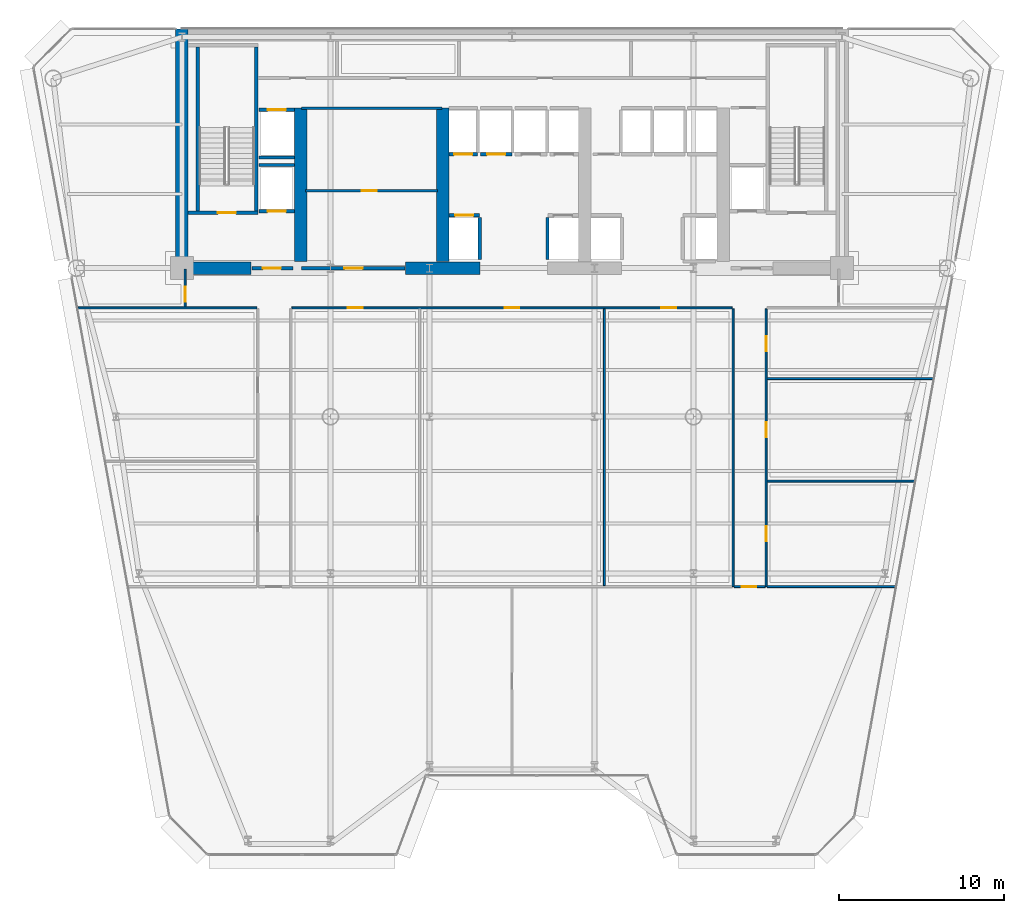
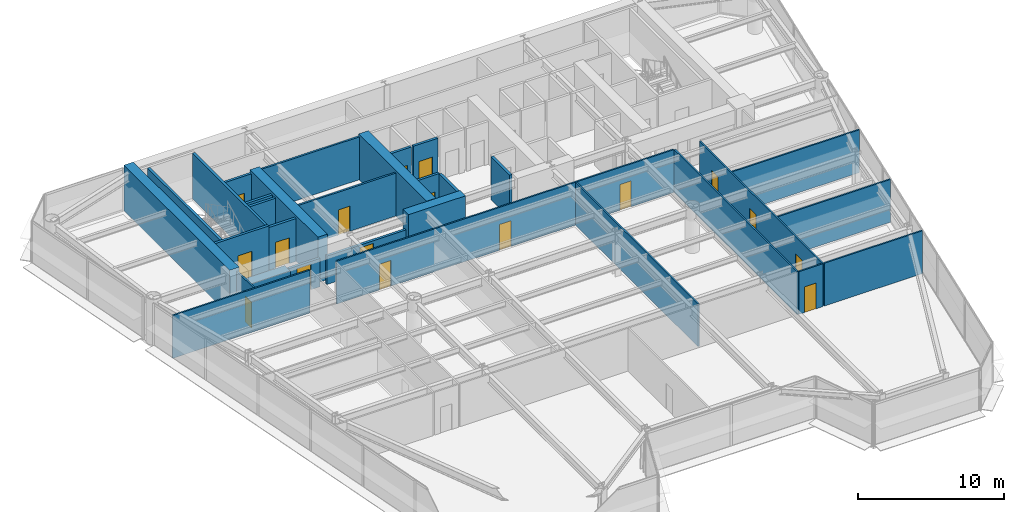
# One storey, part 8 of 14: 31 walls, 17 doors, 17 openings.
"""IFC4 building model written with IfcOpenShell, lengths in metres."""

from ifc_helpers import new_model, si_unit, direction, frame, frame_2d, origin, place, context, subcontext, project, spatial, rectangle, extrude, source, transform, mapped, material, layer, layer_set, type_object, element, fill, save


model = new_model("IFC4")

# Units and contexts
model_context = context("Model", 3, precision=1e-05, world=origin(), true_north=direction((0.0, 1.0)))
body_context = subcontext(model_context, "Body", "Model", "MODEL_VIEW")
ifc_project = project(units=[si_unit("LENGTHUNIT", "METRE"), si_unit("AREAUNIT", "SQUARE_METRE"), si_unit("VOLUMEUNIT", "CUBIC_METRE"), si_unit("PLANEANGLEUNIT", "RADIAN"), si_unit("MASSUNIT", "GRAM", prefix="KILO")], contexts=[model_context])

# Site, building, storey
site_placement = place(None, origin())
site = spatial("IfcSite", under=ifc_project, at=site_placement, CompositionType="ELEMENT")
building_placement = place(site_placement, origin())
building = spatial("IfcBuilding", under=site, at=building_placement, Name="Vaeldorn Concourse Tower", CompositionType="ELEMENT")
storey_placement = place(building_placement, frame((0.0, 0.0, 130.0)))
storey = spatial("IfcBuildingStorey", under=building, at=storey_placement, Name="L33", CompositionType="ELEMENT", Elevation=130.0)

# Walls
ifc_material_1 = material(Name="Concrete C60/75", Category="concrete")
ifc_layer_1 = layer(ifc_material_1, 0.75)
ifc_layer_set_1 = layer_set([ifc_layer_1], Name="Concrete C60/75")
wall_type_1 = type_object("IfcWallType", Name="WL-CORE-750", PredefinedType="SHEAR", material=ifc_layer_set_1)
wall_1_placement = place(storey_placement, frame((14.0, 36.5, 0.0), z_axis=(0.0, 0.0, 1.0), x_axis=(0.0, 1.0, 0.0)))
element("IfcWall", 1, at=wall_1_placement, inside=storey, type_object=wall_type_1, Name="Rear Core Shear Wall L33 W1", PredefinedType="SHEAR", context=body_context, shape_type="SweptSolid", body=[
    extrude(rectangle(XDim=14.5, YDim=0.75, at=frame_2d((7.25, 0.0))), origin(), (0.0, 0.0, 1.0), 3.800048828125),
])
wall_2_placement = place(storey_placement, frame((14.39501953125, 36.5, 0.0), z_axis=(0.0, 0.0, 1.0), x_axis=(1.0, 0.0, 0.0)))
element("IfcWall", 2, at=wall_2_placement, inside=storey, type_object=wall_type_1, Name="Rear Core Shear Wall L33 S1", PredefinedType="SHEAR", context=body_context, shape_type="SweptSolid", body=[
    extrude(rectangle(XDim=3.804931640625, YDim=0.75, at=frame_2d((1.90234375, 0.0))), origin(), (0.0, 0.0, 1.0), 2.3798828125),
])
wall_3_placement = place(storey_placement, frame((27.550048828125, 36.5, 0.0), z_axis=(0.0, 0.0, 1.0), x_axis=(1.0, 0.0, 0.0)))
element("IfcWall", 3, at=wall_3_placement, inside=storey, type_object=wall_type_1, Name="Rear Core Shear Wall L33 S2", PredefinedType="SHEAR", context=body_context, shape_type="SweptSolid", body=[
    extrude(rectangle(XDim=4.5, YDim=0.75, at=frame_2d((2.25, 0.0))), origin(), (0.0, 0.0, 1.0), 3.800048828125),
])
for number, where, z_axis, x_axis, name in (
    (4, (21.199951171875, 36.89501953125, 0.0), (0.0, 0.0, 1.0), (0.0, 1.0, 0.0), "Rear Core Shear Wall L33 M1"),
    (5, (29.800048828125, 36.89501953125, 0.0), (0.0, 0.0, 1.0), (0.0, 1.0, 0.0), "Rear Core Shear Wall L33 M2"),
):
    element("IfcWall", number, at=place(storey_placement, frame(where, z_axis=z_axis, x_axis=x_axis)), inside=storey, type_object=wall_type_1, Name=name, PredefinedType="SHEAR", context=body_context, shape_type="SweptSolid", body=[
        extrude(rectangle(XDim=9.304931640625, YDim=0.75, at=frame_2d((4.65234375, 0.0))), origin(), (0.0, 0.0, 1.0), 3.800048828125),
    ])

# Wall, openings, doors
ifc_material_2 = material(Name="Gypsum Board Partition", Category="gypsum")
ifc_layer_2 = layer(ifc_material_2, 0.1201171875)
ifc_layer_set_2 = layer_set([ifc_layer_2], Name="Gypsum Board Partition")
wall_type_2 = type_object("IfcWallType", Name="WL-PART-120", PredefinedType="PARTITIONING", material=ifc_layer_set_2)
wall_4_placement = place(storey_placement, frame((20.659912109375, 34.10009765625, 0.0), z_axis=(0.0, 0.0, 1.0), x_axis=(1.0, 0.0, 0.0)))
wall_4 = element("IfcWall", 6, at=wall_4_placement, inside=storey, type_object=wall_type_2, Name="Interior Wall PW-L33-CEWS", PredefinedType="PARTITIONING", context=body_context, shape_type="SweptSolid", body=[
    extrude(rectangle(XDim=26.68017578125, YDim=0.1201171875, at=frame_2d((13.340087890625, 0.0))), origin(), (0.0, 0.0, 1.0), 3.580078125),
])
opening_1_placement = place(wall_4_placement, frame((3.389892578125, 0.0, 0.0)))
opening_1 = element("IfcOpeningElement", 7, at=opening_1_placement, cuts=wall_4, Name="Opening D-03", PredefinedType="OPENING", context=body_context, shape_type="SweptSolid", body=[
    extrude(rectangle(XDim=0.89990234375, YDim=2.14990234375, at=frame_2d((0.449951171875, 1.074951171875))), frame((0.0, 0.070068359375, 0.0), z_axis=(0.0, -1.0, 0.0), x_axis=(1.0, 0.0, 0.0)), (0.0, 0.0, 1.0), 0.14013671875),
])
opening_2_placement = place(wall_4_placement, frame((12.889892578125, 0.0, 0.0)))
opening_2 = element("IfcOpeningElement", 8, at=opening_2_placement, cuts=wall_4, Name="Opening D-03", PredefinedType="OPENING", context=body_context, shape_type="SweptSolid", body=[
    extrude(rectangle(XDim=0.89990234375, YDim=2.14990234375, at=frame_2d((0.449951171875, 1.074951171875))), frame((0.0, 0.070068359375, 0.0), z_axis=(0.0, -1.0, 0.0), x_axis=(1.0, 0.0, 0.0)), (0.0, 0.0, 1.0), 0.14013671875),
])
opening_3_placement = place(wall_4_placement, frame((22.389892578125, 0.0, 0.0)))
opening_3 = element("IfcOpeningElement", 9, at=opening_3_placement, cuts=wall_4, Name="Opening D-03", PredefinedType="OPENING", context=body_context, shape_type="SweptSolid", body=[
    extrude(rectangle(XDim=0.89990234375, YDim=2.14990234375, at=frame_2d((0.449951171875, 1.074951171875))), frame((0.0, 0.070068359375, 0.0), z_axis=(0.0, -1.0, 0.0), x_axis=(1.0, 0.0, 0.0)), (0.0, 0.0, 1.0), 0.14013671875),
])
ifc_material_3 = material(Name="Acoustic Bronze-Framed Glass Door", Category="glass")
door_type_1 = type_object("IfcDoorType", Name="DR-INT-900", OperationType="NOTDEFINED", PredefinedType="DOOR", material=ifc_material_3)
shared_shape_1 = source(origin(), body_context, "Body", "SweptSolid", [
    extrude(rectangle(XDim=0.89990234375, YDim=2.14990234375, at=frame_2d((0.449951171875, 1.074951171875))), frame((0.0, 0.02490234375, 0.0), z_axis=(0.0, -1.0, 0.0), x_axis=(1.0, 0.0, 0.0)), (0.0, 0.0, 1.0), 0.050048828125),
])
door_1_placement = place(opening_1_placement, origin())
door_1 = element("IfcDoor", 10, at=door_1_placement, inside=storey, type_object=door_type_1, Name="Interior Door DR-L33-H1", OperationType="SINGLE_SWING_LEFT", OverallHeight=2.14990234375, OverallWidth=0.89990234375, PredefinedType="DOOR", context=body_context, shape_type="MappedRepresentation", body=[
    mapped(shared_shape_1, transform((0.0, 0.0, 0.0), scale=1.0)),
])
fill(opening_1, door_1)
door_2_placement = place(opening_2_placement, origin())
door_2 = element("IfcDoor", 11, at=door_2_placement, inside=storey, type_object=door_type_1, Name="Interior Door DR-L33-H2", OperationType="SINGLE_SWING_RIGHT", OverallHeight=2.14990234375, OverallWidth=0.89990234375, PredefinedType="DOOR", context=body_context, shape_type="MappedRepresentation", body=[
    mapped(shared_shape_1, transform((0.0, 0.0, 0.0), scale=1.0)),
])
fill(opening_2, door_2)
door_3_placement = place(opening_3_placement, origin())
door_3 = element("IfcDoor", 12, at=door_3_placement, inside=storey, type_object=door_type_1, Name="Interior Door DR-L33-H3", OperationType="SINGLE_SWING_LEFT", OverallHeight=2.14990234375, OverallWidth=0.89990234375, PredefinedType="DOOR", context=body_context, shape_type="MappedRepresentation", body=[
    mapped(shared_shape_1, transform((0.0, 0.0, 0.0), scale=1.0)),
])
fill(opening_3, door_3)

# Wall
wall_5_placement = place(storey_placement, frame((7.69287109375, 34.10009765625, 0.0), z_axis=(0.0, 0.0, 1.0), x_axis=(1.0, 0.0, 0.0)))
element("IfcWall", 13, at=wall_5_placement, inside=storey, type_object=wall_type_2, Name="Interior Wall PW-L33-CEWW", PredefinedType="PARTITIONING", context=body_context, shape_type="SweptSolid", body=[
    extrude(rectangle(XDim=10.84716796875, YDim=0.1201171875, at=frame_2d((5.423583984375, 0.0))), origin(), (0.0, 0.0, 1.0), 3.580078125),
])

# Wall, opening, door
wall_6_placement = place(storey_placement, frame((14.199951171875, 34.159912109375, 0.0), z_axis=(0.0, 0.0, 1.0), x_axis=(0.0, 1.0, 0.0)))
wall_6 = element("IfcWall", 14, at=wall_6_placement, inside=storey, type_object=wall_type_2, Name="Interior Wall PW-L33-CWWT", PredefinedType="PARTITIONING", context=body_context, shape_type="SweptSolid", body=[
    extrude(rectangle(XDim=2.280029296875, YDim=0.1201171875, at=frame_2d((1.14013671875, 0.0))), origin(), (0.0, 0.0, 1.0), 3.580078125),
])
opening_4_placement = place(wall_6_placement, frame((0.300048828125, 0.0, 0.0)))
opening_4 = element("IfcOpeningElement", 15, at=opening_4_placement, cuts=wall_6, Name="Opening D-03", PredefinedType="OPENING", context=body_context, shape_type="SweptSolid", body=[
    extrude(rectangle(XDim=0.89990234375, YDim=2.14990234375, at=frame_2d((0.449951171875, 1.074951171875))), frame((0.0, 0.070068359375, 0.0), z_axis=(0.0, -1.0, 0.0), x_axis=(1.0, 0.0, 0.0)), (0.0, 0.0, 1.0), 0.14013671875),
])
door_4_placement = place(opening_4_placement, origin())
door_4 = element("IfcDoor", 16, at=door_4_placement, inside=storey, type_object=door_type_1, Name="Interior Door DR-L33-NW1", OperationType="SINGLE_SWING_LEFT", OverallHeight=2.14990234375, OverallWidth=0.89990234375, PredefinedType="DOOR", context=body_context, shape_type="MappedRepresentation", body=[
    mapped(shared_shape_1, transform((0.0, 0.0, 0.0), scale=1.0)),
])
fill(opening_4, door_4)

# Wall
wall_7_placement = place(storey_placement, frame((47.39990234375, 17.199951171875, 0.0), z_axis=(0.0, 0.0, 1.0), x_axis=(0.0, 1.0, 0.0)))
element("IfcWall", 17, at=wall_7_placement, inside=storey, type_object=wall_type_2, Name="Interior Wall PW-L33-CEW", PredefinedType="PARTITIONING", context=body_context, shape_type="SweptSolid", body=[
    extrude(rectangle(XDim=16.840087890625, YDim=0.1201171875, at=frame_2d((8.419921875, 0.0))), origin(), (0.0, 0.0, 1.0), 3.580078125),
])

# Wall, openings, doors
wall_8_placement = place(storey_placement, frame((49.39990234375, 17.199951171875, 0.0), z_axis=(0.0, 0.0, 1.0), x_axis=(0.0, 1.0, 0.0)))
wall_8 = element("IfcWall", 18, at=wall_8_placement, inside=storey, type_object=wall_type_2, Name="Interior Wall PW-L33-CEE", PredefinedType="PARTITIONING", context=body_context, shape_type="SweptSolid", body=[
    extrude(rectangle(XDim=16.840087890625, YDim=0.1201171875, at=frame_2d((8.419921875, 0.0))), origin(), (0.0, 0.0, 1.0), 3.580078125),
])
opening_5_placement = place(wall_8_placement, frame((2.75, 0.0, 0.0)))
opening_5 = element("IfcOpeningElement", 19, at=opening_5_placement, cuts=wall_8, Name="Opening D-03", PredefinedType="OPENING", context=body_context, shape_type="SweptSolid", body=[
    extrude(rectangle(XDim=0.89990234375, YDim=2.14990234375, at=frame_2d((0.449951171875, 1.074951171875))), frame((0.0, 0.070068359375, 0.0), z_axis=(0.0, -1.0, 0.0), x_axis=(1.0, 0.0, 0.0)), (0.0, 0.0, 1.0), 0.14013671875),
])
opening_6_placement = place(wall_8_placement, frame((9.050048828125, 0.0, 0.0)))
opening_6 = element("IfcOpeningElement", 20, at=opening_6_placement, cuts=wall_8, Name="Opening D-03", PredefinedType="OPENING", context=body_context, shape_type="SweptSolid", body=[
    extrude(rectangle(XDim=0.89990234375, YDim=2.14990234375, at=frame_2d((0.449951171875, 1.074951171875))), frame((0.0, 0.070068359375, 0.0), z_axis=(0.0, -1.0, 0.0), x_axis=(1.0, 0.0, 0.0)), (0.0, 0.0, 1.0), 0.14013671875),
])
opening_7_placement = place(wall_8_placement, frame((14.27001953125, 0.0, 0.0)))
opening_7 = element("IfcOpeningElement", 21, at=opening_7_placement, cuts=wall_8, Name="Opening D-03", PredefinedType="OPENING", context=body_context, shape_type="SweptSolid", body=[
    extrude(rectangle(XDim=0.89990234375, YDim=2.14990234375, at=frame_2d((0.449951171875, 1.074951171875))), frame((0.0, 0.070068359375, 0.0), z_axis=(0.0, -1.0, 0.0), x_axis=(1.0, 0.0, 0.0)), (0.0, 0.0, 1.0), 0.14013671875),
])
door_5_placement = place(opening_5_placement, origin())
door_5 = element("IfcDoor", 22, at=door_5_placement, inside=storey, type_object=door_type_1, Name="Interior Door DR-L33-E1", OperationType="SINGLE_SWING_RIGHT", OverallHeight=2.14990234375, OverallWidth=0.89990234375, PredefinedType="DOOR", context=body_context, shape_type="MappedRepresentation", body=[
    mapped(shared_shape_1, transform((0.0, 0.0, 0.0), scale=1.0)),
])
fill(opening_5, door_5)
door_6_placement = place(opening_6_placement, origin())
door_6 = element("IfcDoor", 23, at=door_6_placement, inside=storey, type_object=door_type_1, Name="Interior Door DR-L33-E2", OperationType="SINGLE_SWING_LEFT", OverallHeight=2.14990234375, OverallWidth=0.89990234375, PredefinedType="DOOR", context=body_context, shape_type="MappedRepresentation", body=[
    mapped(shared_shape_1, transform((0.0, 0.0, 0.0), scale=1.0)),
])
fill(opening_6, door_6)
door_7_placement = place(opening_7_placement, origin())
door_7 = element("IfcDoor", 24, at=door_7_placement, inside=storey, type_object=door_type_1, Name="Interior Door DR-L33-E3", OperationType="SINGLE_SWING_RIGHT", OverallHeight=2.14990234375, OverallWidth=0.89990234375, PredefinedType="DOOR", context=body_context, shape_type="MappedRepresentation", body=[
    mapped(shared_shape_1, transform((0.0, 0.0, 0.0), scale=1.0)),
])
fill(opening_7, door_7)

# Wall, opening, door
wall_9_placement = place(storey_placement, frame((47.4599609375, 17.199951171875, 0.0), z_axis=(0.0, 0.0, 1.0), x_axis=(1.0, 0.0, 0.0)))
wall_9 = element("IfcWall", 25, at=wall_9_placement, inside=storey, type_object=wall_type_2, Name="Interior Wall PW-L33-CES", PredefinedType="PARTITIONING", context=body_context, shape_type="SweptSolid", body=[
    extrude(rectangle(XDim=1.880126953125, YDim=0.1201171875, at=frame_2d((0.93994140625, 0.0))), origin(), (0.0, 0.0, 1.0), 3.580078125),
])
opening_8_placement = place(wall_9_placement, frame((0.449951171875, 0.0, 0.0)))
opening_8 = element("IfcOpeningElement", 26, at=opening_8_placement, cuts=wall_9, Name="Opening D-03", PredefinedType="OPENING", context=body_context, shape_type="SweptSolid", body=[
    extrude(rectangle(XDim=0.89990234375, YDim=2.14990234375, at=frame_2d((0.449951171875, 1.074951171875))), frame((0.0, 0.070068359375, 0.0), z_axis=(0.0, -1.0, 0.0), x_axis=(1.0, 0.0, 0.0)), (0.0, 0.0, 1.0), 0.14013671875),
])
door_8_placement = place(opening_8_placement, origin())
door_8 = element("IfcDoor", 27, at=door_8_placement, inside=storey, type_object=door_type_1, Name="Interior Door DR-L33-SEL", OperationType="SINGLE_SWING_RIGHT", OverallHeight=2.14990234375, OverallWidth=0.89990234375, PredefinedType="DOOR", context=body_context, shape_type="MappedRepresentation", body=[
    mapped(shared_shape_1, transform((0.0, 0.0, 0.0), scale=1.0)),
])
fill(opening_8, door_8)

# Walls
wall_10_placement = place(storey_placement, frame((49.4599609375, 17.199951171875, 0.0), z_axis=(0.0, 0.0, 1.0), x_axis=(1.0, 0.0, 0.0)))
element("IfcWall", 28, at=wall_10_placement, inside=storey, type_object=wall_type_2, Name="Interior Wall PW-L33-EY0", PredefinedType="PARTITIONING", context=body_context, shape_type="SweptSolid", body=[
    extrude(rectangle(XDim=7.7763671875, YDim=0.1201171875, at=frame_2d((3.88818359375, 0.0))), origin(), (0.0, 0.0, 1.0), 3.580078125),
])
wall_11_placement = place(storey_placement, frame((49.4599609375, 23.60009765625, 0.0), z_axis=(0.0, 0.0, 1.0), x_axis=(1.0, 0.0, 0.0)))
element("IfcWall", 29, at=wall_11_placement, inside=storey, type_object=wall_type_2, Name="Interior Wall PW-L33-EY1", PredefinedType="PARTITIONING", context=body_context, shape_type="SweptSolid", body=[
    extrude(rectangle(XDim=8.939453125, YDim=0.1201171875, at=frame_2d((4.4697265625, 0.0))), origin(), (0.0, 0.0, 1.0), 3.580078125),
])
wall_12_placement = place(storey_placement, frame((49.4599609375, 29.800048828125, 0.0), z_axis=(0.0, 0.0, 1.0), x_axis=(1.0, 0.0, 0.0)))
element("IfcWall", 30, at=wall_12_placement, inside=storey, type_object=wall_type_2, Name="Interior Wall PW-L33-EY2", PredefinedType="PARTITIONING", context=body_context, shape_type="SweptSolid", body=[
    extrude(rectangle(XDim=10.06591796875, YDim=0.1201171875, at=frame_2d((5.032958984375, 0.0))), origin(), (0.0, 0.0, 1.0), 3.580078125),
])
wall_13_placement = place(storey_placement, frame((39.60009765625, 17.260009765625, 0.0), z_axis=(0.0, 0.0, 1.0), x_axis=(0.0, 1.0, 0.0)))
element("IfcWall", 31, at=wall_13_placement, inside=storey, type_object=wall_type_2, Name="Interior Wall PW-L33-HX2", PredefinedType="PARTITIONING", context=body_context, shape_type="SweptSolid", body=[
    extrude(rectangle(XDim=16.780029296875, YDim=0.1201171875, at=frame_2d((8.39013671875, 0.0))), origin(), (0.0, 0.0, 1.0), 3.580078125),
])
ifc_layer_3 = layer(ifc_material_2, 0.14990234375)
ifc_layer_set_3 = layer_set([ifc_layer_3], Name="Gypsum Board Partition")
wall_type_3 = type_object("IfcWallType", Name="WL-PART-150", PredefinedType="PARTITIONING", material=ifc_layer_set_3)
wall_14_placement = place(storey_placement, frame((21.25, 46.199951171875, 0.0), z_axis=(0.0, 0.0, 1.0), x_axis=(1.0, 0.0, 0.0)))
element("IfcWall", 32, at=wall_14_placement, inside=storey, type_object=wall_type_3, Name="Interior Wall CW-L33-R1N", PredefinedType="PARTITIONING", context=body_context, shape_type="SweptSolid", body=[
    extrude(rectangle(XDim=8.5, YDim=0.14990234375, at=frame_2d((4.25, 0.0))), origin(), (0.0, 0.0, 1.0), 3.580078125),
])

# Wall, opening, door
wall_15_placement = place(storey_placement, frame((21.5, 41.199951171875, 0.0), z_axis=(0.0, 0.0, 1.0), x_axis=(1.0, 0.0, 0.0)))
wall_15 = element("IfcWall", 33, at=wall_15_placement, inside=storey, type_object=wall_type_3, Name="Interior Wall CW-L33-R1M", PredefinedType="PARTITIONING", context=body_context, shape_type="SweptSolid", body=[
    extrude(rectangle(XDim=8.0, YDim=0.14990234375, at=frame_2d((4.0, 0.0))), origin(), (0.0, 0.0, 1.0), 3.580078125),
])
opening_9_placement = place(wall_15_placement, frame((3.39990234375, 0.0, 0.0)))
opening_9 = element("IfcOpeningElement", 34, at=opening_9_placement, cuts=wall_15, Name="Opening D-02", PredefinedType="OPENING", context=body_context, shape_type="SweptSolid", body=[
    extrude(rectangle(XDim=0.89990234375, YDim=2.10009765625, at=frame_2d((0.449951171875, 1.050048828125))), frame((0.0, 0.0849609375, 0.0), z_axis=(0.0, -1.0, 0.0), x_axis=(1.0, 0.0, 0.0)), (0.0, 0.0, 1.0), 0.169921875),
])
ifc_material_4 = material(Name="Fire-Rated Timber Leaf", Category="wood")
door_type_2 = type_object("IfcDoorType", Name="DR-FD30-900", OperationType="NOTDEFINED", PredefinedType="DOOR", material=ifc_material_4)
shared_shape_2 = source(origin(), body_context, "Body", "SweptSolid", [
    extrude(rectangle(XDim=0.89990234375, YDim=2.10009765625, at=frame_2d((0.449951171875, 1.050048828125))), frame((0.0, 0.02490234375, 0.0), z_axis=(0.0, -1.0, 0.0), x_axis=(1.0, 0.0, 0.0)), (0.0, 0.0, 1.0), 0.050048828125),
])
door_9_placement = place(opening_9_placement, origin())
door_9 = element("IfcDoor", 35, at=door_9_placement, inside=storey, type_object=door_type_2, Name="Interior Door DR-L33-R1M", OperationType="SINGLE_SWING_RIGHT", OverallHeight=2.10009765625, OverallWidth=0.89990234375, PredefinedType="DOOR", context=body_context, shape_type="MappedRepresentation", body=[
    mapped(shared_shape_2, transform((0.0, 0.0, 0.0), scale=1.0)),
])
fill(opening_9, door_9)

ifc_material_5 = material(Name="Concrete C50/60", Category="concrete")
ifc_layer_4 = layer(ifc_material_5, 0.199951171875)
ifc_layer_set_4 = layer_set([ifc_layer_4], Name="Concrete C50/60")
wall_type_4 = type_object("IfcWallType", Name="WL-SHAFT-200", PredefinedType="SOLIDWALL", material=ifc_layer_set_4)
wall_16_placement = place(storey_placement, frame((14.375, 39.85009765625, 0.0), z_axis=(0.0, 0.0, 1.0), x_axis=(1.0, 0.0, 0.0)))
wall_16 = element("IfcWall", 36, at=wall_16_placement, inside=storey, type_object=wall_type_4, Name="Stair Shaft Wall CW-L33-ST-1-S", PredefinedType="SOLIDWALL", context=body_context, shape_type="SweptSolid", body=[
    extrude(rectangle(XDim=4.22509765625, YDim=0.199951171875, at=frame_2d((2.112548828125, 0.0))), origin(), (0.0, 0.0, 1.0), 3.800048828125),
])
opening_10_placement = place(wall_16_placement, frame((1.800048828125, 0.0, 0.0)))
opening_10 = element("IfcOpeningElement", 37, at=opening_10_placement, cuts=wall_16, Name="Opening D-01", PredefinedType="OPENING", context=body_context, shape_type="SweptSolid", body=[
    extrude(rectangle(XDim=1.10009765625, YDim=2.14990234375, at=frame_2d((0.550048828125, 1.074951171875))), frame((0.0, 0.10986328125, 0.0), z_axis=(0.0, -1.0, 0.0), x_axis=(1.0, 0.0, 0.0)), (0.0, 0.0, 1.0), 0.219970703125),
])
ifc_material_6 = material(Name="Fire-Rated Timber and Steel Leaf", Category="steel")
door_type_3 = type_object("IfcDoorType", Name="DR-FD60-1100", OperationType="NOTDEFINED", PredefinedType="DOOR", material=ifc_material_6)
shared_shape_3 = source(origin(), body_context, "Body", "SweptSolid", [
    extrude(rectangle(XDim=1.10009765625, YDim=2.14990234375, at=frame_2d((0.550048828125, 1.074951171875))), frame((0.0, 0.02490234375, 0.0), z_axis=(0.0, -1.0, 0.0), x_axis=(1.0, 0.0, 0.0)), (0.0, 0.0, 1.0), 0.050048828125),
])
door_10_placement = place(opening_10_placement, origin())
door_10 = element("IfcDoor", 38, at=door_10_placement, inside=storey, type_object=door_type_3, Name="Interior Door DR-L33-ST-1", OperationType="SINGLE_SWING_LEFT", OverallHeight=2.14990234375, OverallWidth=1.10009765625, PredefinedType="DOOR", context=body_context, shape_type="MappedRepresentation", body=[
    mapped(shared_shape_3, transform((0.0, 0.0, 0.0), scale=1.0)),
])
fill(opening_10, door_10)

# Walls
for number, where, z_axis, x_axis, name in (
    (39, (14.949951171875, 39.9599609375, 0.0), (0.0, 0.0, 1.0), (0.0, 1.0, 0.0), "Stair Shaft Wall CW-L33-ST-1-W"),
    (40, (18.5, 39.9599609375, 0.0), (0.0, 0.0, 1.0), (0.0, 1.0, 0.0), "Stair Shaft Wall CW-L33-ST-1-E"),
):
    element("IfcWall", number, at=place(storey_placement, frame(where, z_axis=z_axis, x_axis=x_axis)), inside=storey, type_object=wall_type_4, Name=name, PredefinedType="SOLIDWALL", context=body_context, shape_type="SweptSolid", body=[
        extrude(rectangle(XDim=9.929931640625, YDim=0.199951171875, at=frame_2d((4.96484375, 0.0))), origin(), (0.0, 0.0, 1.0), 3.800048828125),
    ])

# Wall, opening, door
wall_17_placement = place(storey_placement, frame((18.25, 36.5, 0.0), z_axis=(0.0, 0.0, 1.0), x_axis=(1.0, 0.0, 0.0)))
wall_17 = element("IfcWall", 41, at=wall_17_placement, inside=storey, type_object=wall_type_4, Name="Interior Wall CW-L33-FF1S", PredefinedType="SOLIDWALL", context=body_context, shape_type="SweptSolid", body=[
    extrude(rectangle(XDim=2.469970703125, YDim=0.199951171875, at=frame_2d((1.23486328125, 0.0))), origin(), (0.0, 0.0, 1.0), 2.3701171875),
])
opening_11_placement = place(wall_17_placement, frame((0.64990234375, 0.0, 0.0)))
opening_11 = element("IfcOpeningElement", 42, at=opening_11_placement, cuts=wall_17, Name="Opening D-01", PredefinedType="OPENING", context=body_context, shape_type="SweptSolid", body=[
    extrude(rectangle(XDim=1.10009765625, YDim=2.14990234375, at=frame_2d((0.550048828125, 1.074951171875))), frame((0.0, 0.10986328125, 0.0), z_axis=(0.0, -1.0, 0.0), x_axis=(1.0, 0.0, 0.0)), (0.0, 0.0, 1.0), 0.219970703125),
])
door_11_placement = place(opening_11_placement, origin())
door_11 = element("IfcDoor", 43, at=door_11_placement, inside=storey, type_object=door_type_3, Name="Interior Door DR-L33-FF1E", OperationType="SINGLE_SWING_RIGHT", OverallHeight=2.14990234375, OverallWidth=1.10009765625, PredefinedType="DOOR", context=body_context, shape_type="MappedRepresentation", body=[
    mapped(shared_shape_3, transform((0.0, 0.0, 0.0), scale=1.0)),
])
fill(opening_11, door_11)

wall_18_placement = place(storey_placement, frame((30.18505859375, 39.699951171875, 0.0), z_axis=(0.0, 0.0, 1.0), x_axis=(1.0, 0.0, 0.0)))
wall_18 = element("IfcWall", 44, at=wall_18_placement, inside=storey, type_object=wall_type_4, Name="Interior Wall CW-L33-LF-LF-07", PredefinedType="SOLIDWALL", context=body_context, shape_type="SweptSolid", body=[
    extrude(rectangle(XDim=1.844970703125, YDim=0.199951171875, at=frame_2d((0.92236328125, 0.0))), origin(), (0.0, 0.0, 1.0), 3.580078125),
])
opening_12_placement = place(wall_18_placement, frame((0.373046875, 0.0, 0.0)))
opening_12 = element("IfcOpeningElement", 45, at=opening_12_placement, cuts=wall_18, Name="Opening LD-1", PredefinedType="OPENING", context=body_context, shape_type="SweptSolid", body=[
    extrude(rectangle(XDim=1.10009765625, YDim=2.14990234375, at=frame_2d((0.550048828125, 1.074951171875))), frame((0.0, 0.10986328125, 0.0), z_axis=(0.0, -1.0, 0.0), x_axis=(1.0, 0.0, 0.0)), (0.0, 0.0, 1.0), 0.219970703125),
])
ifc_material_7 = material(Name="Anodised Bronze Aluminium", Category="aluminium")
door_type_4 = type_object("IfcDoorType", Name="DR-LIFT-SLIDE-1100", OperationType="DOUBLE_DOOR_SLIDING", PredefinedType="DOOR", material=ifc_material_7)
door_12_placement = place(opening_12_placement, origin())
door_12 = element("IfcDoor", 46, at=door_12_placement, inside=storey, type_object=door_type_4, Name="Lift Landing Door LD-L33-LF-07", OperationType="DOUBLE_DOOR_SLIDING", OverallHeight=2.14990234375, OverallWidth=1.10009765625, PredefinedType="DOOR", context=body_context, shape_type="MappedRepresentation", body=[
    mapped(shared_shape_3, transform((0.0, 0.0, 0.0), scale=1.0)),
])
fill(opening_12, door_12)

# Walls
for number, where, z_axis, x_axis, name in (
    (47, (32.050048828125, 37.02001953125, 0.0), (0.0, 0.0, 1.0), (0.0, 1.0, 0.0), "Interior Wall CW-L33-LFE-LF-07"),
    (48, (36.14990234375, 37.02001953125, 0.0), (0.0, 0.0, 1.0), (0.0, 1.0, 0.0), "Interior Wall CW-L33-LFW-LF-08"),
):
    element("IfcWall", number, at=place(storey_placement, frame(where, z_axis=z_axis, x_axis=x_axis)), inside=storey, type_object=wall_type_4, Name=name, PredefinedType="SOLIDWALL", context=body_context, shape_type="SweptSolid", body=[
        extrude(rectangle(XDim=2.56005859375, YDim=0.199951171875, at=frame_2d((1.280029296875, 0.0))), origin(), (0.0, 0.0, 1.0), 3.580078125),
    ])

# Wall, opening, door
wall_19_placement = place(storey_placement, frame((30.18505859375, 43.39990234375, 0.0), z_axis=(0.0, 0.0, 1.0), x_axis=(1.0, 0.0, 0.0)))
wall_19 = element("IfcWall", 49, at=wall_19_placement, inside=storey, type_object=wall_type_4, Name="Interior Wall CW-L33-LF-LF-09", PredefinedType="SOLIDWALL", context=body_context, shape_type="SweptSolid", body=[
    extrude(rectangle(XDim=1.724853515625, YDim=0.199951171875, at=frame_2d((0.8623046875, 0.0))), origin(), (0.0, 0.0, 1.0), 3.580078125),
])
opening_13_placement = place(wall_19_placement, frame((0.31298828125, 0.0, 0.0)))
opening_13 = element("IfcOpeningElement", 50, at=opening_13_placement, cuts=wall_19, Name="Opening LD-1", PredefinedType="OPENING", context=body_context, shape_type="SweptSolid", body=[
    extrude(rectangle(XDim=1.10009765625, YDim=2.14990234375, at=frame_2d((0.550048828125, 1.074951171875))), frame((0.0, 0.10986328125, 0.0), z_axis=(0.0, -1.0, 0.0), x_axis=(1.0, 0.0, 0.0)), (0.0, 0.0, 1.0), 0.219970703125),
])
door_13_placement = place(opening_13_placement, origin())
door_13 = element("IfcDoor", 51, at=door_13_placement, inside=storey, type_object=door_type_4, Name="Lift Landing Door LD-L33-LF-09", OperationType="DOUBLE_DOOR_SLIDING", OverallHeight=2.14990234375, OverallWidth=1.10009765625, PredefinedType="DOOR", context=body_context, shape_type="MappedRepresentation", body=[
    mapped(shared_shape_3, transform((0.0, 0.0, 0.0), scale=1.0)),
])
fill(opening_13, door_13)

wall_20_placement = place(storey_placement, frame((32.090087890625, 43.39990234375, 0.0), z_axis=(0.0, 0.0, 1.0), x_axis=(1.0, 0.0, 0.0)))
wall_20 = element("IfcWall", 52, at=wall_20_placement, inside=storey, type_object=wall_type_4, Name="Interior Wall CW-L33-LF-LF-10", PredefinedType="SOLIDWALL", context=body_context, shape_type="SweptSolid", body=[
    extrude(rectangle(XDim=1.919921875, YDim=0.199951171875, at=frame_2d((0.9599609375, 0.0))), origin(), (0.0, 0.0, 1.0), 3.580078125),
])
opening_14_placement = place(wall_20_placement, frame((0.409912109375, 0.0, 0.0)))
opening_14 = element("IfcOpeningElement", 53, at=opening_14_placement, cuts=wall_20, Name="Opening LD-1", PredefinedType="OPENING", context=body_context, shape_type="SweptSolid", body=[
    extrude(rectangle(XDim=1.10009765625, YDim=2.14990234375, at=frame_2d((0.550048828125, 1.074951171875))), frame((0.0, 0.10986328125, 0.0), z_axis=(0.0, -1.0, 0.0), x_axis=(1.0, 0.0, 0.0)), (0.0, 0.0, 1.0), 0.219970703125),
])
door_14_placement = place(opening_14_placement, origin())
door_14 = element("IfcDoor", 54, at=door_14_placement, inside=storey, type_object=door_type_4, Name="Lift Landing Door LD-L33-LF-10", OperationType="DOUBLE_DOOR_SLIDING", OverallHeight=2.14990234375, OverallWidth=1.10009765625, PredefinedType="DOOR", context=body_context, shape_type="MappedRepresentation", body=[
    mapped(shared_shape_3, transform((0.0, 0.0, 0.0), scale=1.0)),
])
fill(opening_14, door_14)

wall_21_placement = place(storey_placement, frame((18.669921875, 46.10009765625, 0.0), z_axis=(0.0, 0.0, 1.0), x_axis=(1.0, 0.0, 0.0)))
wall_21 = element("IfcWall", 55, at=wall_21_placement, inside=storey, type_object=wall_type_4, Name="Interior Wall CW-L33-LF-LF-SV1", PredefinedType="SOLIDWALL", context=body_context, shape_type="SweptSolid", body=[
    extrude(rectangle(XDim=2.14501953125, YDim=0.199951171875, at=frame_2d((1.072509765625, 0.0))), origin(), (0.0, 0.0, 1.0), 3.580078125),
])
opening_15_placement = place(wall_21_placement, frame((0.52197265625, 0.0, 0.0)))
opening_15 = element("IfcOpeningElement", 56, at=opening_15_placement, cuts=wall_21, Name="Opening LD-1", PredefinedType="OPENING", context=body_context, shape_type="SweptSolid", body=[
    extrude(rectangle(XDim=1.10009765625, YDim=2.14990234375, at=frame_2d((0.550048828125, 1.074951171875))), frame((0.0, 0.10986328125, 0.0), z_axis=(0.0, -1.0, 0.0), x_axis=(1.0, 0.0, 0.0)), (0.0, 0.0, 1.0), 0.219970703125),
])
door_15_placement = place(opening_15_placement, origin())
door_15 = element("IfcDoor", 57, at=door_15_placement, inside=storey, type_object=door_type_4, Name="Lift Landing Door LD-L33-LF-SV1", OperationType="DOUBLE_DOOR_SLIDING", OverallHeight=2.14990234375, OverallWidth=1.10009765625, PredefinedType="DOOR", context=body_context, shape_type="MappedRepresentation", body=[
    mapped(shared_shape_3, transform((0.0, 0.0, 0.0), scale=1.0)),
])
fill(opening_15, door_15)

# Wall
wall_22_placement = place(storey_placement, frame((18.669921875, 43.199951171875, 0.0), z_axis=(0.0, 0.0, 1.0), x_axis=(1.0, 0.0, 0.0)))
element("IfcWall", 58, at=wall_22_placement, inside=storey, type_object=wall_type_4, Name="Interior Wall CW-L33-LFB-LF-SV1", PredefinedType="SOLIDWALL", context=body_context, shape_type="SweptSolid", body=[
    extrude(rectangle(XDim=2.14501953125, YDim=0.199951171875, at=frame_2d((1.072509765625, 0.0))), origin(), (0.0, 0.0, 1.0), 3.580078125),
])

# Wall, opening, door
wall_23_placement = place(storey_placement, frame((18.669921875, 39.949951171875, 0.0), z_axis=(0.0, 0.0, 1.0), x_axis=(1.0, 0.0, 0.0)))
wall_23 = element("IfcWall", 59, at=wall_23_placement, inside=storey, type_object=wall_type_4, Name="Interior Wall CW-L33-LF-LF-FF1", PredefinedType="SOLIDWALL", context=body_context, shape_type="SweptSolid", body=[
    extrude(rectangle(XDim=2.14501953125, YDim=0.199951171875, at=frame_2d((1.072509765625, 0.0))), origin(), (0.0, 0.0, 1.0), 3.580078125),
])
opening_16_placement = place(wall_23_placement, frame((0.52197265625, 0.0, 0.0)))
opening_16 = element("IfcOpeningElement", 60, at=opening_16_placement, cuts=wall_23, Name="Opening LD-1", PredefinedType="OPENING", context=body_context, shape_type="SweptSolid", body=[
    extrude(rectangle(XDim=1.10009765625, YDim=2.14990234375, at=frame_2d((0.550048828125, 1.074951171875))), frame((0.0, 0.10986328125, 0.0), z_axis=(0.0, -1.0, 0.0), x_axis=(1.0, 0.0, 0.0)), (0.0, 0.0, 1.0), 0.219970703125),
])
door_16_placement = place(opening_16_placement, origin())
door_16 = element("IfcDoor", 61, at=door_16_placement, inside=storey, type_object=door_type_4, Name="Lift Landing Door LD-L33-LF-FF1", OperationType="DOUBLE_DOOR_SLIDING", OverallHeight=2.14990234375, OverallWidth=1.10009765625, PredefinedType="DOOR", context=body_context, shape_type="MappedRepresentation", body=[
    mapped(shared_shape_3, transform((0.0, 0.0, 0.0), scale=1.0)),
])
fill(opening_16, door_16)

# Wall
wall_24_placement = place(storey_placement, frame((18.669921875, 42.75, 0.0), z_axis=(0.0, 0.0, 1.0), x_axis=(1.0, 0.0, 0.0)))
element("IfcWall", 62, at=wall_24_placement, inside=storey, type_object=wall_type_4, Name="Interior Wall CW-L33-LFB-LF-FF1", PredefinedType="SOLIDWALL", context=body_context, shape_type="SweptSolid", body=[
    extrude(rectangle(XDim=2.14501953125, YDim=0.199951171875, at=frame_2d((1.072509765625, 0.0))), origin(), (0.0, 0.0, 1.0), 3.580078125),
])

# Wall, opening, door
wall_25_placement = place(storey_placement, frame((21.25, 36.5, 0.0), z_axis=(0.0, 0.0, 1.0), x_axis=(1.0, 0.0, 0.0)))
wall_25 = element("IfcWall", 63, at=wall_25_placement, inside=storey, type_object=wall_type_4, Name="Interior Wall CW-L33-R1S", PredefinedType="SOLIDWALL", context=body_context, shape_type="SweptSolid", body=[
    extrude(rectangle(XDim=6.27001953125, YDim=0.199951171875, at=frame_2d((3.135009765625, 0.0))), origin(), (0.0, 0.0, 1.0), 2.3701171875),
])
opening_17_placement = place(wall_25_placement, frame((2.60009765625, 0.0, 0.0)))
opening_17 = element("IfcOpeningElement", 64, at=opening_17_placement, cuts=wall_25, Name="Opening D-01", PredefinedType="OPENING", context=body_context, shape_type="SweptSolid", body=[
    extrude(rectangle(XDim=1.10009765625, YDim=2.14990234375, at=frame_2d((0.550048828125, 1.074951171875))), frame((0.0, 0.10986328125, 0.0), z_axis=(0.0, -1.0, 0.0), x_axis=(1.0, 0.0, 0.0)), (0.0, 0.0, 1.0), 0.219970703125),
])
door_17_placement = place(opening_17_placement, origin())
door_17 = element("IfcDoor", 65, at=door_17_placement, inside=storey, type_object=door_type_3, Name="Interior Door DR-L33-R1S", OperationType="SINGLE_SWING_LEFT", OverallHeight=2.14990234375, OverallWidth=1.10009765625, PredefinedType="DOOR", context=body_context, shape_type="MappedRepresentation", body=[
    mapped(shared_shape_3, transform((0.0, 0.0, 0.0), scale=1.0)),
])
fill(opening_17, door_17)

save(model, "model.ifc")
